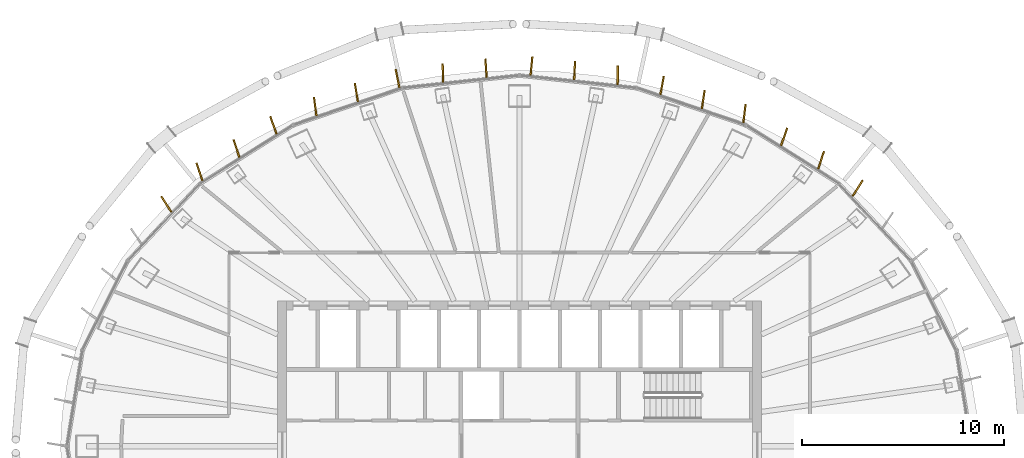
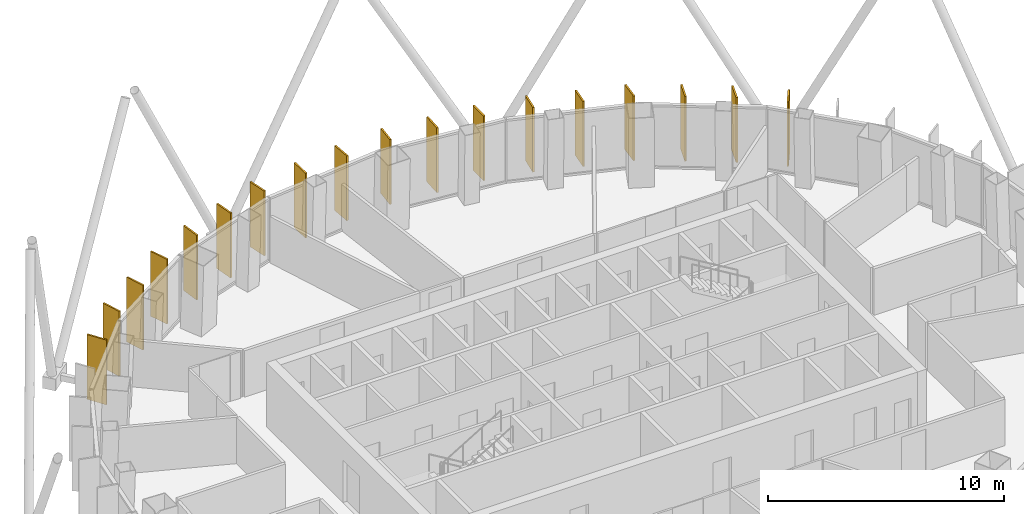
# One storey, part 18 of 18: 18 shading devices.
"""IFC4 building model written with IfcOpenShell, lengths in metres."""

from ifc_helpers import new_model, si_unit, direction, frame, origin, origin_2d, place, context, subcontext, project, spatial, rectangle, extrude, material, layer, layer_set, type_object, element, save


model = new_model("IFC4")

# Units and contexts
model_context = context("Model", 3, precision=1e-05, world=origin(), true_north=direction((0.0, 1.0)))
body_context = subcontext(model_context, "Body", "Model", "MODEL_VIEW")
ifc_project = project(units=[si_unit("LENGTHUNIT", "METRE"), si_unit("AREAUNIT", "SQUARE_METRE"), si_unit("VOLUMEUNIT", "CUBIC_METRE"), si_unit("PLANEANGLEUNIT", "RADIAN"), si_unit("MASSUNIT", "GRAM", prefix="KILO")], contexts=[model_context])

# Site, building, storey
site_placement = place(None, origin())
site = spatial("IfcSite", under=ifc_project, at=site_placement, CompositionType="ELEMENT")
building_placement = place(site_placement, origin())
building = spatial("IfcBuilding", under=site, at=building_placement, Name="Siaravel Broadcast Tower", CompositionType="ELEMENT")
storey_placement = place(building_placement, frame((0.0, 0.0, 201.5)))
storey = spatial("IfcBuildingStorey", under=building, at=storey_placement, Name="L49", CompositionType="ELEMENT", Elevation=201.5)

# Shading devices
ifc_material = material(Name="Bronze anodised aluminium", Category="aluminium")
ifc_layer = layer(ifc_material, 0.080078125)
ifc_layer_set = layer_set([ifc_layer], Name="Bronze anodised aluminium")
shading_device_type = type_object("IfcShadingDeviceType", Name="Bronze fin zone 3", PredefinedType="USERDEFINED", material=ifc_layer_set)
for number, where, z_axis, x_axis, name in (
    (1, (16.766845703125, 12.79150390625, 0.300048828125), (0.0, 0.0, 1.0), (0.543523171, 0.839394164, 0.0), "Bronze fin L49-07"),
    (2, (14.951416015625, 14.185791015625, 0.300048828125), (0.0, 0.0, 1.0), (0.313276517, 0.949661952, 0.0), "Bronze fin L49-08"),
    (3, (13.117431640625, 15.340087890625, 0.300048828125), (0.0, 0.0, 1.0), (0.324115559, 0.946017497, 0.0), "Bronze fin L49-09"),
    (4, (11.152587890625, 16.4951171875, 0.300048828125), (0.0, 0.0, 1.0), (0.116934211, 0.993139663, 0.0), "Bronze fin L49-10"),
    (5, (9.10888671875, 17.191162109375, 0.300048828125), (0.0, 0.0, 1.0), (0.145535672, 0.989353005, 0.0), "Bronze fin L49-11"),
    (6, (7.068603515625, 17.88623046875, 0.300048828125), (0.0, 0.0, 1.0), (0.18123151, 0.983440461, 0.0), "Bronze fin L49-12"),
    (7, (4.86865234375, 18.39208984375, 0.300048828125), (0.0, 0.0, 1.0), (0.003652966, 0.999993328, 0.0), "Bronze fin L49-13"),
    (8, (2.72998046875, 18.62451171875, 0.300048828125), (0.0, 0.0, 1.0), (0.048548186, 0.998820842, 0.0), "Bronze fin L49-14"),
    (9, (0.592041015625, 18.855712890625, 0.300048828125), (0.0, 0.0, 1.0), (0.095489601, 0.995430428, 0.0), "Bronze fin L49-15"),
    (10, (-1.660888671875, 18.740234375, 0.300048828125), (0.0, 0.0, 1.0), (-0.071937876, 0.997409115, 0.0), "Bronze fin L49-16"),
    (11, (-3.799072265625, 18.508544921875, 0.300048828125), (0.0, 0.0, 1.0), (-0.025674462, 0.999670357, 0.0), "Bronze fin L49-17"),
    (12, (-6.04931640625, 18.2333984375, 0.300048828125), (0.0, 0.0, 1.0), (-0.20102834, 0.979585426, 0.0), "Bronze fin L49-18"),
    (13, (-8.08837890625, 17.538818359375, 0.300048828125), (0.0, 0.0, 1.0), (-0.162626833, 0.986687647, 0.0), "Bronze fin L49-19"),
    (14, (-10.130126953125, 16.84326171875, 0.300048828125), (0.0, 0.0, 1.0), (-0.130233749, 0.991483318, 0.0), "Bronze fin L49-20"),
    (15, (-12.2021484375, 15.91650390625, 0.300048828125), (0.0, 0.0, 1.0), (-0.333066407, 0.942903372, 0.0), "Bronze fin L49-21"),
    (16, (-14.03369140625, 14.76318359375, 0.300048828125), (0.0, 0.0, 1.0), (-0.31747513, 0.948266598, 0.0), "Bronze fin L49-22"),
    (17, (-15.869873046875, 13.6083984375, 0.300048828125), (0.0, 0.0, 1.0), (-0.311567156, 0.950224135, 0.0), "Bronze fin L49-23"),
    (18, (-17.5107421875, 11.998046875, 0.300048828125), (0.0, 0.0, 1.0), (-0.54669105, 0.837334399, 0.0), "Bronze fin L49-24"),
):
    element("IfcShadingDevice", number, at=place(storey_placement, frame(where, z_axis=z_axis, x_axis=x_axis)), inside=storey, type_object=shading_device_type, Name=name, ObjectType="FIN", PredefinedType="USERDEFINED", context=body_context, shape_type="SweptSolid", body=[
        extrude(rectangle(XDim=0.919921875, YDim=0.080078125, at=origin_2d()), origin(), (0.0, 0.0, 1.0), 3.35009765625),
    ])

save(model, "model.ifc")
